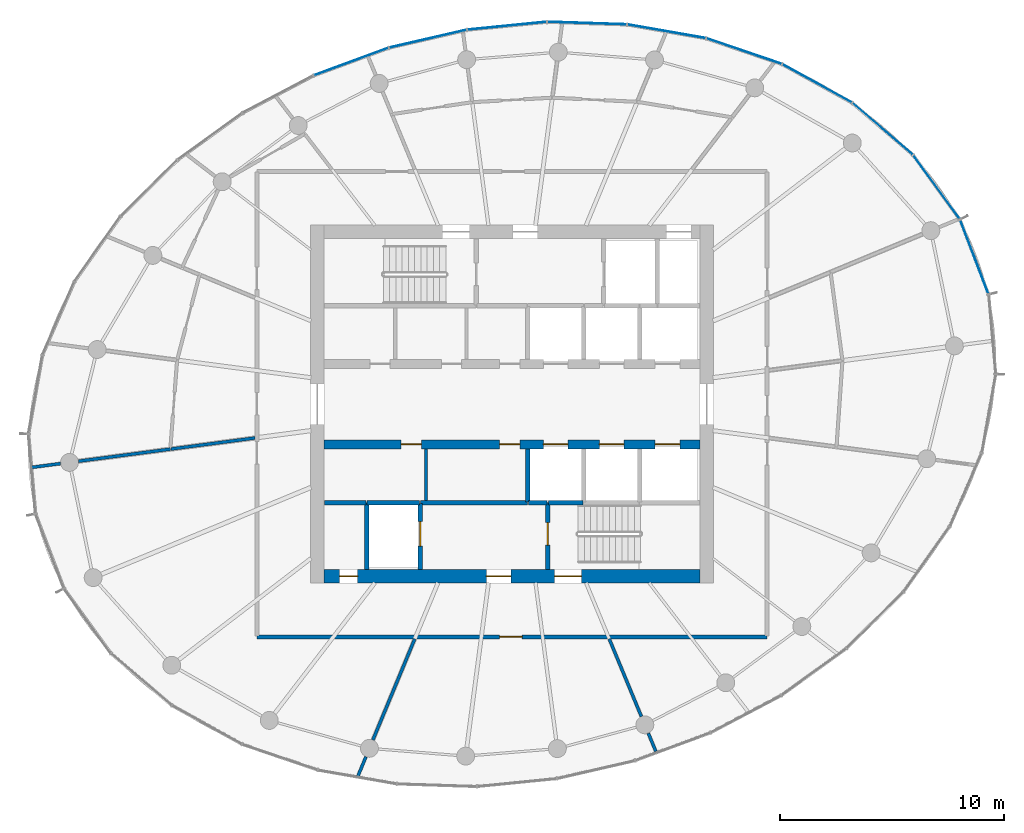
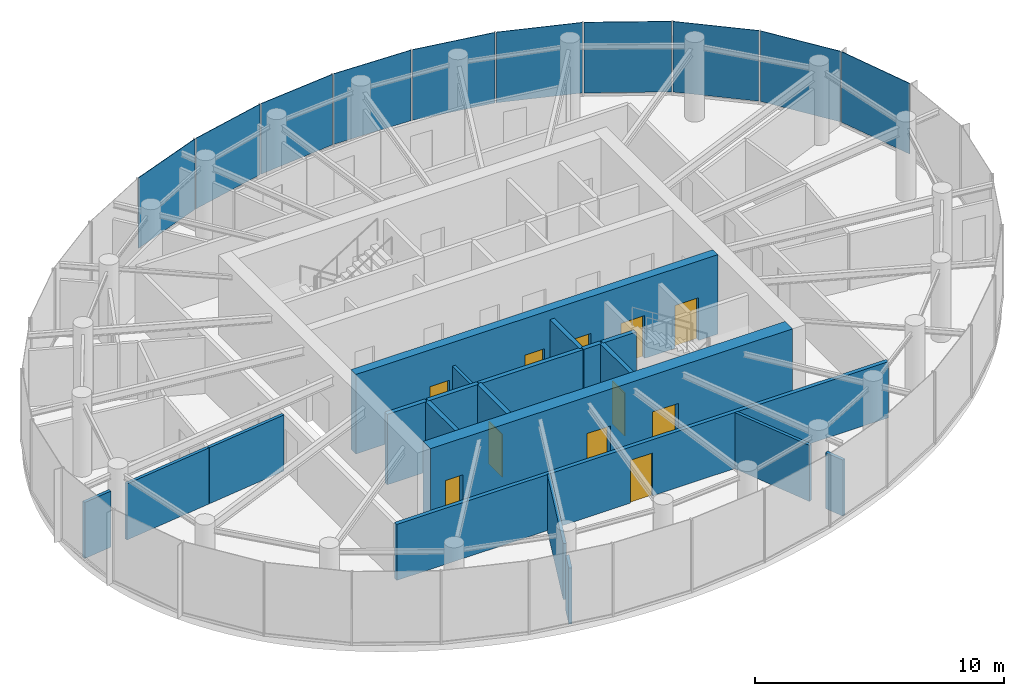
# One storey, part 8 of 13: 20 walls, 11 doors, 10 plates, 11 openings, 2 elements without a shape of their own.
"""IFC4 building model written with IfcOpenShell, lengths in metres."""

from ifc_helpers import new_model, si_unit, direction, frame, frame_2d, origin, origin_2d, place, context, subcontext, project, spatial, rectangle, extrude, source, transform, mapped, material, layer, layer_set, type_object, element, fill, aggregate, save


model = new_model("IFC4")

# Units and contexts
model_context = context("Model", 3, precision=1e-05, world=origin(), true_north=direction((0.0, 1.0)))
body_context = subcontext(model_context, "Body", "Model", "MODEL_VIEW")
ifc_project = project(units=[si_unit("LENGTHUNIT", "METRE"), si_unit("AREAUNIT", "SQUARE_METRE"), si_unit("VOLUMEUNIT", "CUBIC_METRE"), si_unit("PLANEANGLEUNIT", "RADIAN"), si_unit("MASSUNIT", "GRAM", prefix="KILO")], contexts=[model_context])

# Site, building, storey
site_placement = place(None, origin())
site = spatial("IfcSite", under=ifc_project, at=site_placement, CompositionType="ELEMENT")
building_placement = place(site_placement, origin())
building = spatial("IfcBuilding", under=site, at=building_placement, Name="Spindrift Exchange Tower", CompositionType="ELEMENT")
storey_placement = place(building_placement, frame((0.0, 0.0, 261.800048828125)))
storey = spatial("IfcBuildingStorey", under=building, at=storey_placement, Name="L64", CompositionType="ELEMENT", Elevation=261.800048828125)

# Curtain wall, plate
ifc_material_1 = material(Name="Fritted laminated glass with bronze frame", Category="glass")
ifc_layer_1 = layer(ifc_material_1, 0.159912109375)
ifc_layer_set_1 = layer_set([ifc_layer_1], Name="ZONE 5 BRONZE FRITTED WALL")
curtain_wall_type = type_object("IfcCurtainWallType", Name="ZONE 5 BRONZE FRITTED WALL", PredefinedType="NOTDEFINED", material=ifc_layer_set_1)
curtain_wall_1_placement = place(storey_placement, origin())
curtain_wall_1 = element("IfcCurtainWall", 1, at=curtain_wall_1_placement, inside=storey, type_object=curtain_wall_type, Name="L64 Zone 5 Bronze Fritted Wall run 2", PredefinedType="NOTDEFINED")
ifc_material_2 = material(Name="Bronze fritted laminated glass, open frit", Category="glass")
ifc_layer_2 = layer(ifc_material_2, 0.028076171875)
ifc_layer_set_2 = layer_set([ifc_layer_2], Name="ZONE 5 BRONZE FRITTED WALL PANEL OPEN FRIT 360")
plate_type_1 = type_object("IfcPlateType", Name="ZONE 5 BRONZE FRITTED WALL PANEL OPEN FRIT 360", PredefinedType="CURTAIN_PANEL", material=ifc_layer_set_2)
shared_shape_1 = source(origin(), body_context, "Body", "SweptSolid", [
    extrude(rectangle(XDim=3.5263671875, YDim=0.028076171875, at=origin_2d()), origin(), (0.0, 0.0, 1.0), 3.4599609375),
])
plate_1_placement = place(storey_placement, frame((48.242919921875, 64.331787109375, 0.119873046875), z_axis=(0.0, 0.0, 1.0), x_axis=(-0.974547614212, -0.224180613866, 0.0)))
plate_1 = element("IfcPlate", 2, at=plate_1_placement, type_object=plate_type_1, Name="L64 panel CW-5.9", PredefinedType="CURTAIN_PANEL", context=body_context, shape_type="MappedRepresentation", body=[
    mapped(shared_shape_1, transform((0.0, 0.0, 0.0), scale=1.0)),
])

# Curtain wall, plates
curtain_wall_2_placement = place(storey_placement, origin())
curtain_wall_2 = element("IfcCurtainWall", 3, at=curtain_wall_2_placement, inside=storey, type_object=curtain_wall_type, Name="L64 Zone 5 Bronze Fritted Wall run 1", PredefinedType="NOTDEFINED")
ifc_layer_3 = layer(ifc_material_2, 0.028076171875)
ifc_layer_set_3 = layer_set([ifc_layer_3], Name="ZONE 5 BRONZE FRITTED WALL PANEL OPEN FRIT 480")
plate_type_2 = type_object("IfcPlateType", Name="ZONE 5 BRONZE FRITTED WALL PANEL OPEN FRIT 480", PredefinedType="CURTAIN_PANEL", material=ifc_layer_set_3)
shared_shape_2 = source(origin(), body_context, "Body", "SweptSolid", [
    extrude(rectangle(XDim=3.5234375, YDim=0.028076171875, at=origin_2d()), origin(), (0.0, 0.0, 1.0), 3.4599609375),
])
plate_2_placement = place(storey_placement, frame((65.63818359375, 62.334716796875, 0.119873046875), z_axis=(0.0, 0.0, 1.0), x_axis=(-0.875697227796, 0.482860606418, 0.0)))
plate_2 = element("IfcPlate", 4, at=plate_2_placement, type_object=plate_type_2, Name="L64 panel CW-5.4", PredefinedType="CURTAIN_PANEL", context=body_context, shape_type="MappedRepresentation", body=[
    mapped(shared_shape_2, transform((0.0, 0.0, 0.0), scale=1.0)),
])
shared_shape_3 = source(origin(), body_context, "Body", "SweptSolid", [
    extrude(rectangle(XDim=3.517578125, YDim=0.028076171875, at=origin_2d()), origin(), (0.0, 0.0, 1.0), 3.4599609375),
])
plate_3_placement = place(storey_placement, frame((72.666748046875, 54.572265625, 0.119873046875), z_axis=(0.0, 0.0, 1.0), x_axis=(-0.355797023317, 0.934563255322, 0.0)))
plate_3 = element("IfcPlate", 5, at=plate_3_placement, type_object=plate_type_2, Name="L64 panel CW-5.1", PredefinedType="CURTAIN_PANEL", context=body_context, shape_type="MappedRepresentation", body=[
    mapped(shared_shape_3, transform((0.0, 0.0, 0.0), scale=1.0)),
])
ifc_layer_4 = layer(ifc_material_2, 0.028076171875)
ifc_layer_set_4 = layer_set([ifc_layer_4], Name="ZONE 5 BRONZE FRITTED WALL PANEL OPEN FRIT 600")
plate_type_3 = type_object("IfcPlateType", Name="ZONE 5 BRONZE FRITTED WALL PANEL OPEN FRIT 600", PredefinedType="CURTAIN_PANEL", material=ifc_layer_set_4)
shared_shape_4 = source(origin(), body_context, "Body", "SweptSolid", [
    extrude(rectangle(XDim=3.521484375, YDim=0.028076171875, at=origin_2d()), origin(), (0.0, 0.0, 1.0), 3.4599609375),
])
plate_4_placement = place(storey_placement, frame((68.56787109375, 60.305419921875, 0.119873046875), z_axis=(0.0, 0.0, 1.0), x_axis=(-0.75991834621, 0.650018543653, 0.0)))
plate_4 = element("IfcPlate", 6, at=plate_4_placement, type_object=plate_type_3, Name="L64 panel CW-5.3", PredefinedType="CURTAIN_PANEL", context=body_context, shape_type="MappedRepresentation", body=[
    mapped(shared_shape_4, transform((0.0, 0.0, 0.0), scale=1.0)),
])

# Plate
shared_shape_5 = source(origin(), body_context, "Body", "SweptSolid", [
    extrude(rectangle(XDim=3.5263671875, YDim=0.028076171875, at=origin_2d()), origin(), (0.0, 0.0, 1.0), 3.4599609375),
])
plate_5_placement = place(storey_placement, frame((44.81298828125, 63.309326171875, 0.119873046875), z_axis=(0.0, 0.0, 1.0), x_axis=(-0.938249315223, -0.345959856753, 0.0)))
plate_5 = element("IfcPlate", 7, at=plate_5_placement, type_object=plate_type_2, Name="L64 panel CW-5.10", PredefinedType="CURTAIN_PANEL", context=body_context, shape_type="MappedRepresentation", body=[
    mapped(shared_shape_5, transform((0.0, 0.0, 0.0), scale=1.0)),
])

shared_shape_6 = source(origin(), body_context, "Body", "SweptSolid", [
    extrude(rectangle(XDim=3.526123046875, YDim=0.028076171875, at=origin_2d()), origin(), (0.0, 0.0, 1.0), 3.4599609375),
])
plate_6_placement = place(storey_placement, frame((51.77490234375, 64.910888671875, 0.119873046875), z_axis=(0.0, 0.0, 1.0), x_axis=(-0.995110713001, -0.098765727208, 0.0)))
plate_6 = element("IfcPlate", 8, at=plate_6_placement, type_object=plate_type_1, Name="L64 panel CW-5.8", PredefinedType="CURTAIN_PANEL", context=body_context, shape_type="MappedRepresentation", body=[
    mapped(shared_shape_6, transform((0.0, 0.0, 0.0), scale=1.0)),
])

shared_shape_7 = source(origin(), body_context, "Body", "SweptSolid", [
    extrude(rectangle(XDim=3.519287109375, YDim=0.028076171875, at=origin_2d()), origin(), (0.0, 0.0, 1.0), 3.4599609375),
])
plate_7_placement = place(storey_placement, frame((70.9794921875, 57.692626953125, 0.119873046875), z_axis=(0.0, 0.0, 1.0), x_axis=(-0.587129891145, 0.809492736795, 0.0)))
plate_7 = element("IfcPlate", 9, at=plate_7_placement, type_object=plate_type_2, Name="L64 panel CW-5.2", PredefinedType="CURTAIN_PANEL", context=body_context, shape_type="MappedRepresentation", body=[
    mapped(shared_shape_7, transform((0.0, 0.0, 0.0), scale=1.0)),
])

shared_shape_8 = source(origin(), body_context, "Body", "SweptSolid", [
    extrude(rectangle(XDim=3.52587890625, YDim=0.028076171875, at=origin_2d()), origin(), (0.0, 0.0, 1.0), 3.4599609375),
])
plate_8_placement = place(storey_placement, frame((55.351318359375, 65.02978515625, 0.119873046875), z_axis=(0.0, 0.0, 1.0), x_axis=(-0.99947215559, 0.032487077436, 0.0)))
plate_8 = element("IfcPlate", 10, at=plate_8_placement, type_object=plate_type_3, Name="L64 panel CW-5.7", PredefinedType="CURTAIN_PANEL", context=body_context, shape_type="MappedRepresentation", body=[
    mapped(shared_shape_8, transform((0.0, 0.0, 0.0), scale=1.0)),
])

aggregate(curtain_wall_1, [plate_8, plate_6, plate_1, plate_5])

shared_shape_9 = source(origin(), body_context, "Body", "SweptSolid", [
    extrude(rectangle(XDim=3.524658203125, YDim=0.028076171875, at=origin_2d()), origin(), (0.0, 0.0, 1.0), 3.4599609375),
])
plate_9_placement = place(storey_placement, frame((62.372314453125, 63.777099609375, 0.119873046875), z_axis=(0.0, 0.0, 1.0), x_axis=(-0.9466981832, 0.322121948842, 0.0)))
plate_9 = element("IfcPlate", 11, at=plate_9_placement, type_object=plate_type_2, Name="L64 panel CW-5.5", PredefinedType="CURTAIN_PANEL", context=body_context, shape_type="MappedRepresentation", body=[
    mapped(shared_shape_9, transform((0.0, 0.0, 0.0), scale=1.0)),
])

shared_shape_10 = source(origin(), body_context, "Body", "SweptSolid", [
    extrude(rectangle(XDim=3.525634765625, YDim=0.028076171875, at=origin_2d()), origin(), (0.0, 0.0, 1.0), 3.4599609375),
])
plate_10_placement = place(storey_placement, frame((58.909423828125, 64.662841796875, 0.119873046875), z_axis=(0.0, 0.0, 1.0), x_axis=(-0.98507870311, 0.172104470247, 0.0)))
plate_10 = element("IfcPlate", 12, at=plate_10_placement, type_object=plate_type_2, Name="L64 panel CW-5.6", PredefinedType="CURTAIN_PANEL", context=body_context, shape_type="MappedRepresentation", body=[
    mapped(shared_shape_10, transform((0.0, 0.0, 0.0), scale=1.0)),
])

aggregate(curtain_wall_2, [plate_3, plate_7, plate_4, plate_2, plate_9, plate_10])

# Wall, openings, doors
ifc_material_3 = material(Name="Concrete 50 MPa", Category="concrete")
ifc_layer_5 = layer(ifc_material_3, 0.60009765625)
ifc_layer_set_5 = layer_set([ifc_layer_5], Name="RC Core Wall 600 Concrete 50 MPa")
wall_type_1 = type_object("IfcWallType", Name="RC Core Wall 600 Concrete 50 MPa", PredefinedType="SHEAR", material=ifc_layer_set_5)
wall_1_placement = place(storey_placement, frame((43.60009765625, 40.300048828125, 0.0), z_axis=(0.0, 0.0, 1.0), x_axis=(1.0, 0.0, 0.0)))
wall_1 = element("IfcWall", 13, at=wall_1_placement, inside=storey, type_object=wall_type_1, Name="Core wall S L64", PredefinedType="SHEAR", context=body_context, shape_type="SweptSolid", body=[
    extrude(rectangle(XDim=16.7998046875, YDim=0.60009765625, at=frame_2d((8.39990234375, 0.0))), origin(), (0.0, 0.0, 1.0), 3.89990234375),
])
opening_1_placement = place(wall_1_placement, frame((10.300048828125, 0.0, 0.0)))
opening_1 = element("IfcOpeningElement", 14, at=opening_1_placement, cuts=wall_1, Name="Opening L64-D15", PredefinedType="OPENING", context=body_context, shape_type="SweptSolid", body=[
    extrude(rectangle(XDim=1.199951171875, YDim=2.10009765625, at=frame_2d((0.60009765625, 1.050048828125))), frame((0.0, 0.31005859375, 0.0), z_axis=(0.0, -1.0, 0.0), x_axis=(1.0, 0.0, 0.0)), (0.0, 0.0, 1.0), 0.6201171875),
])
opening_2_placement = place(wall_1_placement, frame((7.25, 0.0, 0.0)))
opening_2 = element("IfcOpeningElement", 15, at=opening_2_placement, cuts=wall_1, Name="Opening L64-D17", PredefinedType="OPENING", context=body_context, shape_type="SweptSolid", body=[
    extrude(rectangle(XDim=1.10009765625, YDim=2.10009765625, at=frame_2d((0.550048828125, 1.050048828125))), frame((0.0, 0.31005859375, 0.0), z_axis=(0.0, -1.0, 0.0), x_axis=(1.0, 0.0, 0.0)), (0.0, 0.0, 1.0), 0.6201171875),
])
opening_3_placement = place(wall_1_placement, frame((0.699951171875, 0.0, 0.0)))
opening_3 = element("IfcOpeningElement", 16, at=opening_3_placement, cuts=wall_1, Name="Opening L64-D18", PredefinedType="OPENING", context=body_context, shape_type="SweptSolid", body=[
    extrude(rectangle(XDim=0.800048828125, YDim=2.10009765625, at=frame_2d((0.39990234375, 1.050048828125))), frame((0.0, 0.31005859375, 0.0), z_axis=(0.0, -1.0, 0.0), x_axis=(1.0, 0.0, 0.0)), (0.0, 0.0, 1.0), 0.6201171875),
])
ifc_material_4 = material(Name="Steel fire door", Category="steel")
door_type_1 = type_object("IfcDoorType", Name="DR-STAIR-1200", OperationType="NOTDEFINED", PredefinedType="DOOR", material=ifc_material_4)
shared_shape_11 = source(origin(), body_context, "Body", "SweptSolid", [
    extrude(rectangle(XDim=1.199951171875, YDim=2.10009765625, at=frame_2d((0.60009765625, 1.050048828125))), frame((0.0, 0.02490234375, 0.0), z_axis=(0.0, -1.0, 0.0), x_axis=(1.0, 0.0, 0.0)), (0.0, 0.0, 1.0), 0.050048828125),
])
door_1_placement = place(opening_1_placement, origin())
door_1 = element("IfcDoor", 17, at=door_1_placement, inside=storey, type_object=door_type_1, Name="L64 Stair door 15", OperationType="SINGLE_SWING_RIGHT", OverallHeight=2.10009765625, OverallWidth=1.199951171875, PredefinedType="DOOR", context=body_context, shape_type="MappedRepresentation", body=[
    mapped(shared_shape_11, transform((0.0, 0.0, 0.0), scale=1.0)),
])
fill(opening_1, door_1)
ifc_material_5 = material(Name="Timber-core fire door", Category="wood")
door_type_2 = type_object("IfcDoorType", Name="DR-LOBBY-1100", OperationType="NOTDEFINED", PredefinedType="DOOR", material=ifc_material_5)
shared_shape_12 = source(origin(), body_context, "Body", "SweptSolid", [
    extrude(rectangle(XDim=1.10009765625, YDim=2.10009765625, at=frame_2d((0.550048828125, 1.050048828125))), frame((0.0, 0.02490234375, 0.0), z_axis=(0.0, -1.0, 0.0), x_axis=(1.0, 0.0, 0.0)), (0.0, 0.0, 1.0), 0.050048828125),
])
door_2_placement = place(opening_2_placement, origin())
door_2 = element("IfcDoor", 18, at=door_2_placement, inside=storey, type_object=door_type_2, Name="L64 Lobby door 17", OperationType="SINGLE_SWING_RIGHT", OverallHeight=2.10009765625, OverallWidth=1.10009765625, PredefinedType="DOOR", context=body_context, shape_type="MappedRepresentation", body=[
    mapped(shared_shape_12, transform((0.0, 0.0, 0.0), scale=1.0)),
])
fill(opening_2, door_2)
ifc_material_6 = material(Name="Steel access door", Category="steel")
door_type_3 = type_object("IfcDoorType", Name="DR-RISER-800", OperationType="NOTDEFINED", PredefinedType="DOOR", material=ifc_material_6)
shared_shape_13 = source(origin(), body_context, "Body", "SweptSolid", [
    extrude(rectangle(XDim=0.800048828125, YDim=2.10009765625, at=frame_2d((0.39990234375, 1.050048828125))), frame((0.0, 0.02490234375, 0.0), z_axis=(0.0, -1.0, 0.0), x_axis=(1.0, 0.0, 0.0)), (0.0, 0.0, 1.0), 0.050048828125),
])
door_3_placement = place(opening_3_placement, origin())
door_3 = element("IfcDoor", 19, at=door_3_placement, inside=storey, type_object=door_type_3, Name="L64 Riser door 18", OperationType="SINGLE_SWING_LEFT", OverallHeight=2.10009765625, OverallWidth=0.800048828125, PredefinedType="DOOR", context=body_context, shape_type="MappedRepresentation", body=[
    mapped(shared_shape_13, transform((0.0, 0.0, 0.0), scale=1.0)),
])
fill(opening_3, door_3)

ifc_layer_6 = layer(ifc_material_3, 0.39990234375)
ifc_layer_set_6 = layer_set([ifc_layer_6], Name="RC Spine Wall 400 Concrete 50 MPa")
wall_type_2 = type_object("IfcWallType", Name="RC Spine Wall 400 Concrete 50 MPa", PredefinedType="SHEAR", material=ifc_layer_set_6)
wall_2_placement = place(storey_placement, frame((43.60009765625, 46.199951171875, 0.0), z_axis=(0.0, 0.0, 1.0), x_axis=(1.0, 0.0, 0.0)))
wall_2 = element("IfcWall", 20, at=wall_2_placement, inside=storey, type_object=wall_type_2, Name="Core spine wall S L64", PredefinedType="SHEAR", context=body_context, shape_type="SweptSolid", body=[
    extrude(rectangle(XDim=16.7998046875, YDim=0.39990234375, at=frame_2d((8.39990234375, 0.0))), origin(), (0.0, 0.0, 1.0), 3.89990234375),
])
opening_4_placement = place(wall_2_placement, frame((9.800048828125, 0.0, 0.0)))
opening_4 = element("IfcOpeningElement", 21, at=opening_4_placement, cuts=wall_2, Name="Opening L64-D6", PredefinedType="OPENING", context=body_context, shape_type="SweptSolid", body=[
    extrude(rectangle(XDim=1.10009765625, YDim=2.10009765625, at=frame_2d((0.550048828125, 1.050048828125))), frame((0.0, 0.2099609375, 0.0), z_axis=(0.0, -1.0, 0.0), x_axis=(1.0, 0.0, 0.0)), (0.0, 0.0, 1.0), 0.419921875),
])
opening_5_placement = place(wall_2_placement, frame((12.300048828125, 0.0, 0.0)))
opening_5 = element("IfcOpeningElement", 22, at=opening_5_placement, cuts=wall_2, Name="Opening L64-D7", PredefinedType="OPENING", context=body_context, shape_type="SweptSolid", body=[
    extrude(rectangle(XDim=1.10009765625, YDim=2.10009765625, at=frame_2d((0.550048828125, 1.050048828125))), frame((0.0, 0.2099609375, 0.0), z_axis=(0.0, -1.0, 0.0), x_axis=(1.0, 0.0, 0.0)), (0.0, 0.0, 1.0), 0.419921875),
])
opening_6_placement = place(wall_2_placement, frame((14.800048828125, 0.0, 0.0)))
opening_6 = element("IfcOpeningElement", 23, at=opening_6_placement, cuts=wall_2, Name="Opening L64-D8", PredefinedType="OPENING", context=body_context, shape_type="SweptSolid", body=[
    extrude(rectangle(XDim=1.10009765625, YDim=2.10009765625, at=frame_2d((0.550048828125, 1.050048828125))), frame((0.0, 0.2099609375, 0.0), z_axis=(0.0, -1.0, 0.0), x_axis=(1.0, 0.0, 0.0)), (0.0, 0.0, 1.0), 0.419921875),
])
opening_7_placement = place(wall_2_placement, frame((3.449951171875, 0.0, 0.0)))
opening_7 = element("IfcOpeningElement", 24, at=opening_7_placement, cuts=wall_2, Name="Opening L64-D41", PredefinedType="OPENING", context=body_context, shape_type="SweptSolid", body=[
    extrude(rectangle(XDim=0.89990234375, YDim=2.10009765625, at=frame_2d((0.449951171875, 1.050048828125))), frame((0.0, 0.2099609375, 0.0), z_axis=(0.0, -1.0, 0.0), x_axis=(1.0, 0.0, 0.0)), (0.0, 0.0, 1.0), 0.419921875),
])
opening_8_placement = place(wall_2_placement, frame((7.85009765625, 0.0, 0.0)))
opening_8 = element("IfcOpeningElement", 25, at=opening_8_placement, cuts=wall_2, Name="Opening L64-D42", PredefinedType="OPENING", context=body_context, shape_type="SweptSolid", body=[
    extrude(rectangle(XDim=0.89990234375, YDim=2.10009765625, at=frame_2d((0.449951171875, 1.050048828125))), frame((0.0, 0.2099609375, 0.0), z_axis=(0.0, -1.0, 0.0), x_axis=(1.0, 0.0, 0.0)), (0.0, 0.0, 1.0), 0.419921875),
])
ifc_material_7 = material(Name="Stainless steel landing door", Category="steel")
door_type_4 = type_object("IfcDoorType", Name="DR-LANDING-1100-SL", OperationType="DOUBLE_DOOR_SLIDING", PredefinedType="USERDEFINED", material=ifc_material_7)
shared_shape_14 = source(origin(), body_context, "Body", "SweptSolid", [
    extrude(rectangle(XDim=1.10009765625, YDim=2.10009765625, at=frame_2d((0.550048828125, 1.050048828125))), frame((0.0, 0.02490234375, 0.0), z_axis=(0.0, -1.0, 0.0), x_axis=(1.0, 0.0, 0.0)), (0.0, 0.0, 1.0), 0.050048828125),
])
door_4_placement = place(opening_4_placement, origin())
door_4 = element("IfcDoor", 26, at=door_4_placement, inside=storey, type_object=door_type_4, Name="L64 Lift landing door 6", ObjectType="LANDING DOOR", OperationType="DOUBLE_DOOR_SLIDING", OverallHeight=2.10009765625, OverallWidth=1.10009765625, PredefinedType="USERDEFINED", context=body_context, shape_type="MappedRepresentation", body=[
    mapped(shared_shape_14, transform((0.0, 0.0, 0.0), scale=1.0)),
])
fill(opening_4, door_4)
door_5_placement = place(opening_5_placement, origin())
door_5 = element("IfcDoor", 27, at=door_5_placement, inside=storey, type_object=door_type_4, Name="L64 Lift landing door 7", ObjectType="LANDING DOOR", OperationType="DOUBLE_DOOR_SLIDING", OverallHeight=2.10009765625, OverallWidth=1.10009765625, PredefinedType="USERDEFINED", context=body_context, shape_type="MappedRepresentation", body=[
    mapped(shared_shape_14, transform((0.0, 0.0, 0.0), scale=1.0)),
])
fill(opening_5, door_5)
door_6_placement = place(opening_6_placement, origin())
door_6 = element("IfcDoor", 28, at=door_6_placement, inside=storey, type_object=door_type_4, Name="L64 Lift landing door 8", ObjectType="LANDING DOOR", OperationType="DOUBLE_DOOR_SLIDING", OverallHeight=2.10009765625, OverallWidth=1.10009765625, PredefinedType="USERDEFINED", context=body_context, shape_type="MappedRepresentation", body=[
    mapped(shared_shape_14, transform((0.0, 0.0, 0.0), scale=1.0)),
])
fill(opening_6, door_6)
door_type_5 = type_object("IfcDoorType", Name="DR-RISER-900", OperationType="NOTDEFINED", PredefinedType="DOOR", material=ifc_material_6)
shared_shape_15 = source(origin(), body_context, "Body", "SweptSolid", [
    extrude(rectangle(XDim=0.89990234375, YDim=2.10009765625, at=frame_2d((0.449951171875, 1.050048828125))), frame((0.0, 0.02490234375, 0.0), z_axis=(0.0, -1.0, 0.0), x_axis=(1.0, 0.0, 0.0)), (0.0, 0.0, 1.0), 0.050048828125),
])
door_7_placement = place(opening_7_placement, origin())
door_7 = element("IfcDoor", 29, at=door_7_placement, inside=storey, type_object=door_type_5, Name="L64 Riser door 41", OperationType="SINGLE_SWING_RIGHT", OverallHeight=2.10009765625, OverallWidth=0.89990234375, PredefinedType="DOOR", context=body_context, shape_type="MappedRepresentation", body=[
    mapped(shared_shape_15, transform((0.0, 0.0, 0.0), scale=1.0)),
])
fill(opening_7, door_7)
door_8_placement = place(opening_8_placement, origin())
door_8 = element("IfcDoor", 30, at=door_8_placement, inside=storey, type_object=door_type_5, Name="L64 Riser door 42", OperationType="SINGLE_SWING_LEFT", OverallHeight=2.10009765625, OverallWidth=0.89990234375, PredefinedType="DOOR", context=body_context, shape_type="MappedRepresentation", body=[
    mapped(shared_shape_15, transform((0.0, 0.0, 0.0), scale=1.0)),
])
fill(opening_8, door_8)

# Wall, opening, door
ifc_material_8 = material(Name="Fire-rated plasterboard partition", Category="gypsum")
ifc_layer_7 = layer(ifc_material_8, 0.179931640625)
ifc_layer_set_7 = layer_set([ifc_layer_7], Name="W-CORR-180")
wall_type_3 = type_object("IfcWallType", Name="W-CORR-180", PredefinedType="PARTITIONING", material=ifc_layer_set_7)
wall_3_placement = place(storey_placement, frame((63.39990234375, 37.60009765625, 0.0), z_axis=(0.0, 0.0, 1.0), x_axis=(-1.0, 0.0, 0.0)))
wall_3 = element("IfcWall", 31, at=wall_3_placement, inside=storey, type_object=wall_type_3, Name="L64 Partition wall 28", PredefinedType="PARTITIONING", context=body_context, shape_type="SweptSolid", body=[
    extrude(rectangle(XDim=22.7998046875, YDim=0.179931640625, at=frame_2d((11.39990234375, 0.0))), origin(), (0.0, 0.0, 1.0), 2.75),
])
opening_9_placement = place(wall_3_placement, frame((10.949951171875, 0.0, 0.0)))
opening_9 = element("IfcOpeningElement", 32, at=opening_9_placement, cuts=wall_3, Name="Opening L64-D36", PredefinedType="OPENING", context=body_context, shape_type="SweptSolid", body=[
    extrude(rectangle(XDim=1.0, YDim=2.10009765625, at=frame_2d((0.5, 1.050048828125))), frame((0.0, 0.099853515625, 0.0), z_axis=(0.0, -1.0, 0.0), x_axis=(1.0, 0.0, 0.0)), (0.0, 0.0, 1.0), 0.199951171875),
])
door_type_6 = type_object("IfcDoorType", Name="DR-ROOM-1000", OperationType="NOTDEFINED", PredefinedType="DOOR", material=ifc_material_5)
shared_shape_16 = source(origin(), body_context, "Body", "SweptSolid", [
    extrude(rectangle(XDim=1.0, YDim=2.10009765625, at=frame_2d((0.5, 1.050048828125))), frame((0.0, 0.02490234375, 0.0), z_axis=(0.0, -1.0, 0.0), x_axis=(1.0, 0.0, 0.0)), (0.0, 0.0, 1.0), 0.050048828125),
])
door_9_placement = place(opening_9_placement, origin())
door_9 = element("IfcDoor", 33, at=door_9_placement, inside=storey, type_object=door_type_6, Name="L64 Door 36", OperationType="SINGLE_SWING_LEFT", OverallHeight=2.10009765625, OverallWidth=1.0, PredefinedType="DOOR", context=body_context, shape_type="MappedRepresentation", body=[
    mapped(shared_shape_16, transform((0.0, 0.0, 0.0), scale=1.0)),
])
fill(opening_9, door_9)

# Walls
ifc_layer_8 = layer(ifc_material_8, 0.139892578125)
ifc_layer_set_8 = layer_set([ifc_layer_8], Name="W-PART-140")
wall_type_4 = type_object("IfcWallType", Name="W-PART-140", PredefinedType="PARTITIONING", material=ifc_layer_set_8)
wall_4_placement = place(storey_placement, frame((47.65478515625, 37.510009765625, 0.0), z_axis=(0.0, 0.0, 1.0), x_axis=(-0.382689806821, -0.923876892099, 0.0)))
element("IfcWall", 34, at=wall_4_placement, inside=storey, type_object=wall_type_4, Name="L64 Partition wall 31", PredefinedType="PARTITIONING", context=body_context, shape_type="SweptSolid", body=[
    extrude(rectangle(XDim=4.890625, YDim=0.139892578125, at=frame_2d((2.4453125, 0.0))), origin(), (0.0, 0.0, 1.0), 2.75),
])
wall_5_placement = place(storey_placement, frame((36.728759765625, 45.989501953125, 0.0), z_axis=(0.0, 0.0, 1.0), x_axis=(-0.991449478062, -0.130491120195, 0.0)))
element("IfcWall", 35, at=wall_5_placement, inside=storey, type_object=wall_type_4, Name="L64 Partition wall 34", PredefinedType="PARTITIONING", context=body_context, shape_type="SweptSolid", body=[
    extrude(rectangle(XDim=4.140380859375, YDim=0.139892578125, at=frame_2d((2.0703125, 0.0))), origin(), (0.0, 0.0, 1.0), 2.75),
])
wall_6_placement = place(storey_placement, frame((40.510009765625, 46.4873046875, 0.0), z_axis=(0.0, 0.0, 1.0), x_axis=(-0.99144572909, -0.13051960109, 0.0)))
element("IfcWall", 36, at=wall_6_placement, inside=storey, type_object=wall_type_4, Name="L64 Partition wall 38", PredefinedType="PARTITIONING", context=body_context, shape_type="SweptSolid", body=[
    extrude(rectangle(XDim=3.7841796875, YDim=0.139892578125, at=frame_2d((1.89208984375, 0.0))), origin(), (0.0, 0.0, 1.0), 2.75),
])
wall_7_placement = place(storey_placement, frame((56.34521484375, 37.510009765625, 0.0), z_axis=(0.0, 0.0, 1.0), x_axis=(0.382638866773, -0.923897990925, 0.0)))
element("IfcWall", 37, at=wall_7_placement, inside=storey, type_object=wall_type_4, Name="L64 Partition wall 41", PredefinedType="PARTITIONING", context=body_context, shape_type="SweptSolid", body=[
    extrude(rectangle(XDim=3.755615234375, YDim=0.139892578125, at=frame_2d((1.8779296875, 0.0))), origin(), (0.0, 0.0, 1.0), 2.75),
])
wall_8_placement = place(storey_placement, frame((48.14990234375, 43.699951171875, 0.0), z_axis=(0.0, 0.0, 1.0), x_axis=(0.0, 1.0, 0.0)))
element("IfcWall", 38, at=wall_8_placement, inside=storey, type_object=wall_type_4, Name="L64 Partition wall 54", PredefinedType="PARTITIONING", context=body_context, shape_type="SweptSolid", body=[
    extrude(rectangle(XDim=2.2900390625, YDim=0.139892578125, at=frame_2d((1.14501953125, 0.0))), origin(), (0.0, 0.0, 1.0), 2.75),
])
wall_9_placement = place(storey_placement, frame((31.821533203125, 45.343505859375, 0.0), z_axis=(0.0, 0.0, 1.0), x_axis=(-0.991448038251, -0.130502059169, 0.0)))
element("IfcWall", 39, at=wall_9_placement, inside=storey, type_object=wall_type_4, Name="L64 Partition wall 64", PredefinedType="PARTITIONING", context=body_context, shape_type="SweptSolid", body=[
    extrude(rectangle(XDim=1.328369140625, YDim=0.139892578125, at=frame_2d((0.6640625, 0.0))), origin(), (0.0, 0.0, 1.0), 2.75),
])
wall_10_placement = place(storey_placement, frame((45.473388671875, 32.2431640625, 0.0), z_axis=(0.0, 0.0, 1.0), x_axis=(-0.382781658682, -0.923838839721, 0.0)))
element("IfcWall", 40, at=wall_10_placement, inside=storey, type_object=wall_type_4, Name="L64 Partition wall 70", PredefinedType="PARTITIONING", context=body_context, shape_type="SweptSolid", body=[
    extrude(rectangle(XDim=0.936279296875, YDim=0.139892578125, at=frame_2d((0.46826171875, 0.0))), origin(), (0.0, 0.0, 1.0), 2.75),
])
wall_11_placement = place(storey_placement, frame((58.09228515625, 33.291748046875, 0.0), z_axis=(0.0, 0.0, 1.0), x_axis=(0.382801251463, -0.923830721441, 0.0)))
element("IfcWall", 41, at=wall_11_placement, inside=storey, type_object=wall_type_4, Name="L64 Partition wall 73", PredefinedType="PARTITIONING", context=body_context, shape_type="SweptSolid", body=[
    extrude(rectangle(XDim=0.87939453125, YDim=0.139892578125, at=frame_2d((0.439697265625, 0.0))), origin(), (0.0, 0.0, 1.0), 2.75),
])
ifc_material_9 = material(Name="Concrete 40 MPa", Category="concrete")
ifc_layer_9 = layer(ifc_material_9, 0.199951171875)
ifc_layer_set_9 = layer_set([ifc_layer_9], Name="W-SHAFT-200")
wall_type_5 = type_object("IfcWallType", Name="W-SHAFT-200", PredefinedType="SOLIDWALL", material=ifc_layer_set_9)
wall_12_placement = place(storey_placement, frame((52.699951171875, 43.60009765625, 0.0), z_axis=(0.0, 0.0, 1.0), x_axis=(-1.0, 0.0, 0.0)))
element("IfcWall", 42, at=wall_12_placement, inside=storey, type_object=wall_type_5, Name="L64 Shaft wall 2", PredefinedType="SOLIDWALL", context=body_context, shape_type="SweptSolid", body=[
    extrude(rectangle(XDim=4.800048828125, YDim=0.199951171875, at=frame_2d((2.39990234375, 0.0))), origin(), (0.0, 0.0, 1.0), 3.449951171875),
])
wall_13_placement = place(storey_placement, frame((45.5, 43.60009765625, 0.0), z_axis=(0.0, 0.0, 1.0), x_axis=(0.0, -1.0, 0.0)))
element("IfcWall", 43, at=wall_13_placement, inside=storey, type_object=wall_type_5, Name="L64 Shaft wall 3", PredefinedType="SOLIDWALL", context=body_context, shape_type="SweptSolid", body=[
    extrude(rectangle(XDim=2.97998046875, YDim=0.199951171875, at=frame_2d((1.489990234375, 0.0))), origin(), (0.0, 0.0, 1.0), 3.449951171875),
])

# Wall, opening, door
wall_14_placement = place(storey_placement, frame((47.89990234375, 40.6201171875, 0.0), z_axis=(0.0, 0.0, 1.0), x_axis=(0.0, 1.0, 0.0)))
wall_14 = element("IfcWall", 44, at=wall_14_placement, inside=storey, type_object=wall_type_5, Name="L64 Shaft wall 4", PredefinedType="SOLIDWALL", context=body_context, shape_type="SweptSolid", body=[
    extrude(rectangle(XDim=2.949951171875, YDim=0.199951171875, at=frame_2d((1.47509765625, 0.0))), origin(), (0.0, 0.0, 1.0), 3.449951171875),
])
opening_10_placement = place(wall_14_placement, frame((1.030029296875, 0.0, 0.0)))
opening_10 = element("IfcOpeningElement", 45, at=opening_10_placement, cuts=wall_14, Name="Opening L64-D10", PredefinedType="OPENING", context=body_context, shape_type="SweptSolid", body=[
    extrude(rectangle(XDim=1.10009765625, YDim=2.10009765625, at=frame_2d((0.550048828125, 1.050048828125))), frame((0.0, 0.10986328125, 0.0), z_axis=(0.0, -1.0, 0.0), x_axis=(1.0, 0.0, 0.0)), (0.0, 0.0, 1.0), 0.219970703125),
])
door_10_placement = place(opening_10_placement, origin())
door_10 = element("IfcDoor", 46, at=door_10_placement, inside=storey, type_object=door_type_4, Name="L64 Lift landing door 10", ObjectType="LANDING DOOR", OperationType="DOUBLE_DOOR_SLIDING", OverallHeight=2.10009765625, OverallWidth=1.10009765625, PredefinedType="USERDEFINED", context=body_context, shape_type="MappedRepresentation", body=[
    mapped(shared_shape_14, transform((0.0, 0.0, 0.0), scale=1.0)),
])
fill(opening_10, door_10)

# Walls
wall_15_placement = place(storey_placement, frame((47.8701171875, 43.60009765625, 0.0), z_axis=(0.0, 0.0, 1.0), x_axis=(-1.0, 0.0, 0.0)))
element("IfcWall", 47, at=wall_15_placement, inside=storey, type_object=wall_type_5, Name="L64 Shaft wall 12", PredefinedType="SOLIDWALL", context=body_context, shape_type="SweptSolid", body=[
    extrude(rectangle(XDim=2.340087890625, YDim=0.199951171875, at=frame_2d((1.169921875, 0.0))), origin(), (0.0, 0.0, 1.0), 3.449951171875),
])
wall_16_placement = place(storey_placement, frame((52.699951171875, 45.989990234375, 0.0), z_axis=(0.0, 0.0, 1.0), x_axis=(0.0, -1.0, 0.0)))
element("IfcWall", 48, at=wall_16_placement, inside=storey, type_object=wall_type_5, Name="L64 Shaft wall 13", PredefinedType="SOLIDWALL", context=body_context, shape_type="SweptSolid", body=[
    extrude(rectangle(XDim=2.360107421875, YDim=0.199951171875, at=frame_2d((1.18017578125, 0.0))), origin(), (0.0, 0.0, 1.0), 3.449951171875),
])
wall_17_placement = place(storey_placement, frame((45.469970703125, 43.60009765625, 0.0), z_axis=(0.0, 0.0, 1.0), x_axis=(-1.0, 0.0, 0.0)))
element("IfcWall", 49, at=wall_17_placement, inside=storey, type_object=wall_type_5, Name="L64 Shaft wall 20", PredefinedType="SOLIDWALL", context=body_context, shape_type="SweptSolid", body=[
    extrude(rectangle(XDim=1.849853515625, YDim=0.199951171875, at=frame_2d((0.9248046875, 0.0))), origin(), (0.0, 0.0, 1.0), 3.449951171875),
])

# Wall, opening, door
ifc_layer_10 = layer(ifc_material_9, 0.199951171875)
ifc_layer_set_10 = layer_set([ifc_layer_10], Name="W-SHAFT-200-LB")
wall_type_6 = type_object("IfcWallType", Name="W-SHAFT-200-LB", PredefinedType="SOLIDWALL", material=ifc_layer_set_10)
wall_18_placement = place(storey_placement, frame((53.60009765625, 43.60009765625, 0.0), z_axis=(0.0, 0.0, 1.0), x_axis=(0.0, -1.0, 0.0)))
wall_18 = element("IfcWall", 50, at=wall_18_placement, inside=storey, type_object=wall_type_6, Name="L64 Shaft wall 6", PredefinedType="SOLIDWALL", context=body_context, shape_type="SweptSolid", body=[
    extrude(rectangle(XDim=2.97998046875, YDim=0.199951171875, at=frame_2d((1.489990234375, 0.0))), origin(), (0.0, 0.0, 1.0), 3.449951171875),
])
opening_11_placement = place(wall_18_placement, frame((0.89990234375, 0.0, 0.0)))
opening_11 = element("IfcOpeningElement", 51, at=opening_11_placement, cuts=wall_18, Name="Opening L64-D16", PredefinedType="OPENING", context=body_context, shape_type="SweptSolid", body=[
    extrude(rectangle(XDim=1.0, YDim=2.10009765625, at=frame_2d((0.5, 1.050048828125))), frame((0.0, 0.10986328125, 0.0), z_axis=(0.0, -1.0, 0.0), x_axis=(1.0, 0.0, 0.0)), (0.0, 0.0, 1.0), 0.219970703125),
])
door_type_7 = type_object("IfcDoorType", Name="DR-STAIR-1000", OperationType="NOTDEFINED", PredefinedType="DOOR", material=ifc_material_4)
shared_shape_17 = source(origin(), body_context, "Body", "SweptSolid", [
    extrude(rectangle(XDim=1.0, YDim=2.10009765625, at=frame_2d((0.5, 1.050048828125))), frame((0.0, 0.02490234375, 0.0), z_axis=(0.0, -1.0, 0.0), x_axis=(1.0, 0.0, 0.0)), (0.0, 0.0, 1.0), 0.050048828125),
])
door_11_placement = place(opening_11_placement, origin())
door_11 = element("IfcDoor", 52, at=door_11_placement, inside=storey, type_object=door_type_7, Name="L64 Stair door 16", OperationType="SINGLE_SWING_LEFT", OverallHeight=2.10009765625, OverallWidth=1.0, PredefinedType="DOOR", context=body_context, shape_type="MappedRepresentation", body=[
    mapped(shared_shape_17, transform((0.0, 0.0, 0.0), scale=1.0)),
])
fill(opening_11, door_11)

# Walls
wall_19_placement = place(storey_placement, frame((53.6298828125, 43.60009765625, 0.0), z_axis=(0.0, 0.0, 1.0), x_axis=(1.0, 0.0, 0.0)))
element("IfcWall", 53, at=wall_19_placement, inside=storey, type_object=wall_type_6, Name="L64 Shaft wall 22", PredefinedType="SOLIDWALL", context=body_context, shape_type="SweptSolid", body=[
    extrude(rectangle(XDim=1.5400390625, YDim=0.199951171875, at=frame_2d((0.77001953125, 0.0))), origin(), (0.0, 0.0, 1.0), 3.449951171875),
])
wall_20_placement = place(storey_placement, frame((52.72998046875, 43.60009765625, 0.0), z_axis=(0.0, 0.0, 1.0), x_axis=(1.0, 0.0, 0.0)))
element("IfcWall", 54, at=wall_20_placement, inside=storey, type_object=wall_type_6, Name="L64 Shaft wall 24", PredefinedType="SOLIDWALL", context=body_context, shape_type="SweptSolid", body=[
    extrude(rectangle(XDim=0.840087890625, YDim=0.199951171875, at=frame_2d((0.419921875, 0.0))), origin(), (0.0, 0.0, 1.0), 3.449951171875),
])

save(model, "model.ifc")
